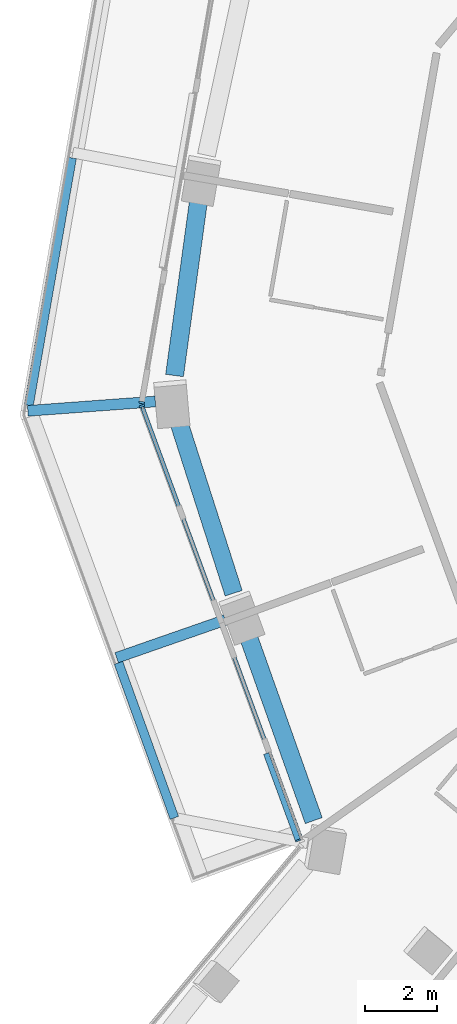
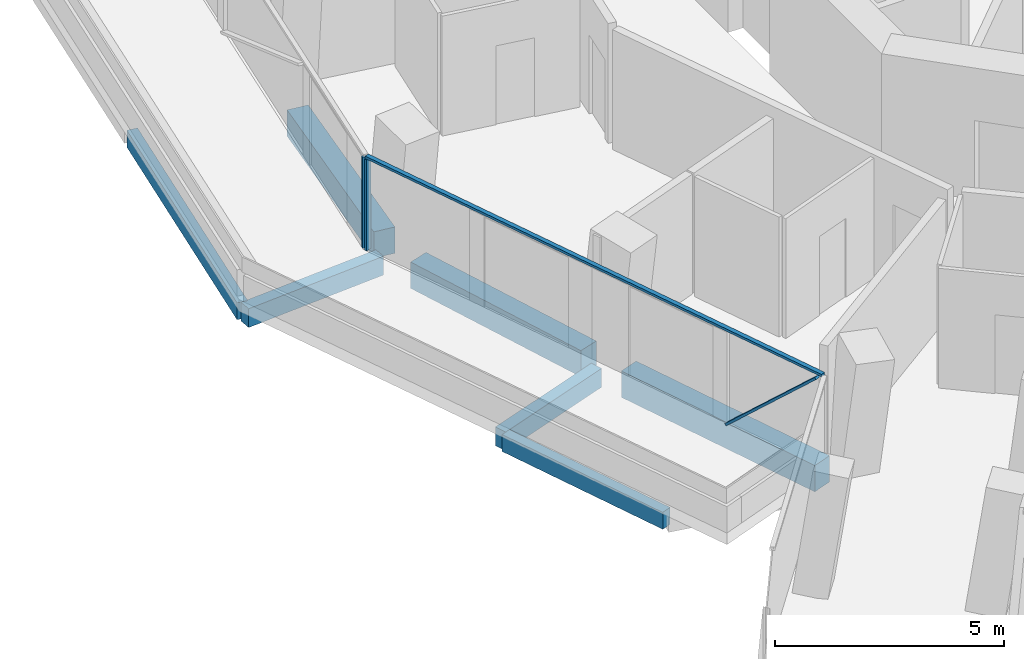
# One storey, part 4 of 24: 7 beams, 4 members, 2 elements without a shape of their own.
"""IFC4 building model written with IfcOpenShell, lengths in metres."""

import ifcopenshell
import ifcopenshell.guid

model = None  # the IFC model being written
_history = None  # IfcOwnerHistory: only IFC2X3 demands one
_inside = {}  # id of a spatial element -> (the spatial element, [elements in it])
_under = {}  # id of a project, library or spatial element -> (it, [spatial elements below it])
_declared = {}  # id of a project -> (the project, [libraries it declares])
_typed = {}  # id of a type object -> (the type object, [elements of that type])
_made_of = {}  # id of a material, layer set ... -> (it, [elements and type objects made of it])


def new_model(schema):
    """Start an empty IFC model of exactly this schema.

    Asked for "IFC4X3", IfcOpenShell would pick the latest addendum, in which some entities
    have other attributes; the version numbers below select the first issue.
    IFC2X3 requires an IfcOwnerHistory on every rooted entity: one is made here for all.
    """
    global model, _history
    if schema == "IFC4X3":
        model = ifcopenshell.file(schema_version=(4, 3, 0, 0))
    else:
        model = ifcopenshell.file(schema=schema)
    _inside.clear()
    _under.clear()
    _declared.clear()
    _typed.clear()
    _made_of.clear()
    _history = None
    if model.schema == "IFC2X3":
        org = make("IfcOrganization", Name="unknown")
        user = make(
            "IfcPersonAndOrganization",
            ThePerson=make("IfcPerson", FamilyName="unknown"),
            TheOrganization=org,
        )
        app = make(
            "IfcApplication",
            ApplicationDeveloper=org,
            Version="unknown",
            ApplicationFullName="unknown",
            ApplicationIdentifier="unknown",
        )
        _history = make(
            "IfcOwnerHistory",
            OwningUser=user,
            OwningApplication=app,
            ChangeAction="ADDED",
            CreationDate=0,
        )
    return model


def make(cls, **values):
    """One entity of the class cls with the attributes given. An attribute that is None is left unset."""
    return model.create_entity(
        cls, **{name: value for name, value in values.items() if value is not None}
    )


def rooted(cls, **values):
    """An entity with a GlobalId (a new one), such as an element, a storey or a relation."""
    return make(cls, GlobalId=ifcopenshell.guid.new(), OwnerHistory=_history, **values)


def si_unit(unit_type, name, prefix=None):
    """IfcSIUnit, for example si_unit("LENGTHUNIT", "METRE", prefix="MILLI")."""
    return make("IfcSIUnit", UnitType=unit_type, Prefix=prefix, Name=name)


def assignment(units):
    """IfcUnitAssignment: the units of a project."""
    return None if units is None else make("IfcUnitAssignment", Units=units)


def point(xyz):
    """IfcCartesianPoint."""
    return None if xyz is None else make("IfcCartesianPoint", Coordinates=xyz)


def direction(xyz):
    """IfcDirection."""
    return None if xyz is None else make("IfcDirection", DirectionRatios=xyz)


def frame(location, z_axis=None, x_axis=None):
    """IfcAxis2Placement3D, a coordinate frame: its origin and axes. An axis left out is left unset."""
    return make(
        "IfcAxis2Placement3D",
        Location=point(location),
        Axis=direction(z_axis),
        RefDirection=direction(x_axis),
    )


def frame_2d(location, x_axis=None):
    """IfcAxis2Placement2D, a coordinate frame in the plane: its origin and x axis."""
    return make(
        "IfcAxis2Placement2D", Location=point(location), RefDirection=direction(x_axis)
    )


def origin():
    """The frame at (0, 0, 0) with its axes left unset."""
    return frame((0.0, 0.0, 0.0))


def origin_2d():
    """The frame at (0, 0) in the plane with its x axis left unset."""
    return frame_2d((0.0, 0.0))


def place(relative_to, where):
    """IfcLocalPlacement: puts the frame where relative to a parent placement (None: the world)."""
    return make(
        "IfcLocalPlacement", PlacementRelTo=relative_to, RelativePlacement=where
    )


def context(
    kind, dimensions, precision=None, world=None, true_north=None, identifier=None
):
    """IfcGeometricRepresentationContext, for example the 3D "Model" context."""
    return make(
        "IfcGeometricRepresentationContext",
        ContextIdentifier=identifier,
        ContextType=kind,
        CoordinateSpaceDimension=dimensions,
        Precision=precision,
        WorldCoordinateSystem=world,
        TrueNorth=true_north,
    )


def subcontext(parent, identifier, kind, view, scale=None):
    """IfcGeometricRepresentationSubContext, for example "Body" below "Model"."""
    return make(
        "IfcGeometricRepresentationSubContext",
        ContextIdentifier=identifier,
        ContextType=kind,
        ParentContext=parent,
        TargetScale=scale,
        TargetView=view,
    )


def project(units=None, contexts=None):
    """IfcProject with its units and contexts."""
    return rooted(
        "IfcProject",
        Name="project",
        RepresentationContexts=contexts,
        UnitsInContext=assignment(units),
    )


def spatial(cls, under=None, at=None, **own):
    """A site, building, storey or space (cls), placed at a placement, below another one or the project."""
    s = rooted(cls, ObjectPlacement=at, **own)
    if under is not None:
        _under.setdefault(under.id(), (under, []))[1].append(s)
    return s


def profile(cls, at=None, kind="AREA", **sizes):
    """A parametric profile (cls). Its sizes go by their IFC names, for example OverallWidth=200.0."""
    return make(cls, ProfileType=kind, Position=at, **sizes)


def rectangle(**sizes):
    """IfcRectangleProfileDef."""
    return profile("IfcRectangleProfileDef", **sizes)


def extrude(swept, where, along, depth):
    """IfcExtrudedAreaSolid: the profile swept, set in the frame where, extruded along a direction by depth."""
    return make(
        "IfcExtrudedAreaSolid",
        SweptArea=swept,
        Position=where,
        ExtrudedDirection=direction(along),
        Depth=depth,
    )


def shape(context_of_items, identifier, shape_type, items):
    """IfcShapeRepresentation: the items that make up one representation, for example the "Body"."""
    return make(
        "IfcShapeRepresentation",
        ContextOfItems=context_of_items,
        RepresentationIdentifier=identifier,
        RepresentationType=shape_type,
        Items=items,
    )


def material(Name=None, Category=None):
    """IfcMaterial."""
    return make("IfcMaterial", Name=Name, Category=Category)


def layer(
    of_material, thickness, ventilated=None, Name=None, Category=None, Priority=None
):
    """IfcMaterialLayer: one layer of a wall or slab, of a material (None: an air gap)."""
    return make(
        "IfcMaterialLayer",
        Material=of_material,
        LayerThickness=thickness,
        IsVentilated=ventilated,
        Name=Name,
        Category=Category,
        Priority=Priority,
    )


def layer_set(layers, Name=None):
    """IfcMaterialLayerSet."""
    return make("IfcMaterialLayerSet", MaterialLayers=layers, LayerSetName=Name)


def material_profile(
    of_material, cross_section, Name=None, Category=None, Priority=None
):
    """IfcMaterialProfile: a cross section and its material."""
    return make(
        "IfcMaterialProfile",
        Name=Name,
        Material=of_material,
        Profile=cross_section,
        Priority=Priority,
        Category=Category,
    )


def profile_set(profiles, Name=None, composite=None):
    """IfcMaterialProfileSet."""
    return make(
        "IfcMaterialProfileSet",
        Name=Name,
        MaterialProfiles=profiles,
        CompositeProfile=composite,
    )


def made_of(thing, what):
    """Note that an element or type object is made of a material, layer set ...; save() writes the relation."""
    if what is not None:
        _made_of.setdefault(what.id(), (what, []))[1].append(thing)
    return thing


def type_object(cls, material=None, **own):
    """A type object (cls), such as IfcWallType, which elements share."""
    return made_of(rooted(cls, **own), material)


def element(
    cls,
    number,
    at=None,
    inside=None,
    cuts=None,
    type_object=None,
    material=None,
    context=None,
    identifier="Body",
    shape_type=None,
    held_by="IfcProductDefinitionShape",
    body=None,
    shapes=None,
    **own,
):
    """One element of the class cls, such as IfcWall. Its Tag is "e" and its number.

    at: its placement. inside: the storey or other place that contains it. cuts: it is an
    opening in that element (IfcRelVoidsElement). A single representation is given by context,
    identifier, shape_type and body (its items); several are given by shapes. held_by: the class
    of the entity that holds the representations. save() writes the other relations.
    """
    e = rooted(cls, Tag="e%d" % number, ObjectPlacement=at, **own)
    if body is not None:
        shapes = [shape(context, identifier, shape_type, body)]
    if shapes is not None:
        e.Representation = make(held_by, Representations=shapes)
    if inside is not None:
        _inside.setdefault(inside.id(), (inside, []))[1].append(e)
    if cuts is not None:
        rooted(
            "IfcRelVoidsElement", RelatingBuildingElement=cuts, RelatedOpeningElement=e
        )
    if type_object is not None:
        _typed.setdefault(type_object.id(), (type_object, []))[1].append(e)
    return made_of(e, material)


def aggregate(whole, parts):
    """IfcRelAggregates: a whole, such as a stair, and the parts it consists of."""
    return rooted("IfcRelAggregates", RelatingObject=whole, RelatedObjects=parts)


def save(model, path):
    """Write the relations noted so far, then the file.

    IfcRelAggregates (storeys below a building ...), IfcRelContainedInSpatialStructure (elements
    in a storey), IfcRelDefinesByType, IfcRelAssociatesMaterial and IfcRelDeclares: one each for
    every whole, place, type object, material and project.
    """
    for whole, parts in _under.values():
        aggregate(whole, parts)
    for where, things in _inside.values():
        rooted(
            "IfcRelContainedInSpatialStructure",
            RelatedElements=things,
            RelatingStructure=where,
        )
    for kind, things in _typed.values():
        rooted("IfcRelDefinesByType", RelatedObjects=things, RelatingType=kind)
    for what, things in _made_of.values():
        rooted("IfcRelAssociatesMaterial", RelatedObjects=things, RelatingMaterial=what)
    for by, libraries in _declared.values():
        rooted("IfcRelDeclares", RelatingContext=by, RelatedDefinitions=libraries)
    model.write(path)


model = new_model("IFC4")

# Units and contexts
model_context = context("Model", 3, precision=1e-05, world=origin(), true_north=direction((0.0, 1.0)))
body_context = subcontext(model_context, "Body", "Model", "MODEL_VIEW")
ifc_project = project(units=[si_unit("LENGTHUNIT", "METRE"), si_unit("AREAUNIT", "SQUARE_METRE"), si_unit("VOLUMEUNIT", "CUBIC_METRE"), si_unit("PLANEANGLEUNIT", "RADIAN"), si_unit("MASSUNIT", "GRAM", prefix="KILO")], contexts=[model_context])

# Site, building, storey
site_placement = place(None, origin())
site = spatial("IfcSite", under=ifc_project, at=site_placement, CompositionType="ELEMENT")
building_placement = place(site_placement, origin())
building = spatial("IfcBuilding", under=site, at=building_placement, Name="Verdalira Terraces Hotel", CompositionType="ELEMENT")
storey_placement = place(building_placement, frame((0.0, 0.0, 115.0)))
storey = spatial("IfcBuildingStorey", under=building, at=storey_placement, Name="L27", CompositionType="ELEMENT", Elevation=115.0)

# Beams
ifc_material_1 = material(Name="Concrete C40", Category="concrete")
ifc_material_profile_1 = material_profile(ifc_material_1, rectangle(XDim=0.300049, YDim=0.5, at=origin_2d()), Name="RC 300X500")
ifc_profile_set_1 = profile_set([ifc_material_profile_1], Name="Concrete C40")
beam_type_1 = type_object("IfcBeamType", Name="Balcony cantilever beam RC 300X500 C40", PredefinedType="BEAM", material=ifc_profile_set_1)
beam_1_placement = place(storey_placement, frame((-22.598633, -8.251465, -0.560059), z_axis=(-0.944373258, -0.328875585, 0.0), x_axis=(0.328875585, -0.944373258, 0.0)))
element("IfcBeam", 1, at=beam_1_placement, inside=storey, type_object=beam_type_1, Name="Balcony cantilever beam R12-1", PredefinedType="BEAM", context=body_context, shape_type="SweptSolid", body=[
    extrude(rectangle(XDim=0.300049, YDim=0.5, at=origin_2d()), origin(), (0.0, 0.0, 1.0), 3.200928),
])
beam_2_placement = place(storey_placement, frame((-24.546387, -2.173096, -0.560059), z_axis=(-0.997314192, -0.073242084, 0.0), x_axis=(0.073242084, -0.997314192, 0.0)))
element("IfcBeam", 2, at=beam_2_placement, inside=storey, type_object=beam_type_1, Name="Balcony cantilever beam R12-5", PredefinedType="BEAM", context=body_context, shape_type="SweptSolid", body=[
    extrude(rectangle(XDim=0.300049, YDim=0.5, at=origin_2d()), origin(), (0.0, 0.0, 1.0), 3.556641),
])
ifc_material_2 = material(Name="Concrete C40", Category="concrete")
ifc_material_profile_2 = material_profile(ifc_material_2, rectangle(XDim=0.25, YDim=0.449951, at=origin_2d()), Name="RC 250X450")
ifc_profile_set_2 = profile_set([ifc_material_profile_2], Name="Concrete C40")
beam_type_2 = type_object("IfcBeamType", Name="Balcony edge beam RC 250X450 C40", PredefinedType="BEAM", material=ifc_profile_set_2)
beam_3_placement = place(storey_placement, frame((-25.570557, -9.445312, -0.534912), z_axis=(0.338972037, -0.940796449, 0.0), x_axis=(0.940796449, 0.338972037, 0.0)))
element("IfcBeam", 3, at=beam_3_placement, inside=storey, type_object=beam_type_2, Name="Balcony edge beam R12-1", PredefinedType="BEAM", context=body_context, shape_type="SweptSolid", body=[
    extrude(rectangle(XDim=0.25, YDim=0.449951, at=origin_2d()), origin(), (0.0, 0.0, 1.0), 4.586426),
])
beam_4_placement = place(storey_placement, frame((-26.866699, 4.605469, -0.534912), z_axis=(-0.171694907, -0.985150171, 0.0), x_axis=(0.985150171, -0.171694907, 0.0)))
element("IfcBeam", 4, at=beam_4_placement, inside=storey, type_object=beam_type_2, Name="Balcony edge beam R12-3", PredefinedType="BEAM", context=body_context, shape_type="SweptSolid", body=[
    extrude(rectangle(XDim=0.25, YDim=0.449951, at=origin_2d()), origin(), (0.0, 0.0, 1.0), 6.990234),
])

# Curtain wall, member
ifc_material_3 = material(Name="Clear glass", Category="glass")
ifc_layer = layer(ifc_material_3, 0.14990234375)
ifc_layer_set = layer_set([ifc_layer], Name="CW1 curtain wall")
curtain_wall_type = type_object("IfcCurtainWallType", Name="CW1 curtain wall", PredefinedType="NOTDEFINED", material=ifc_layer_set)
curtain_wall_1_placement = place(storey_placement, origin())
curtain_wall_1 = element("IfcCurtainWall", 5, at=curtain_wall_1_placement, inside=storey, type_object=curtain_wall_type, Name="CW1 curtain wall L27 edge 12", PredefinedType="NOTDEFINED")
ifc_material_4 = material(Name="Terracotta frame", Category="masonry")
ifc_material_profile_3 = material_profile(ifc_material_4, rectangle(XDim=0.060059, YDim=0.149902, at=origin_2d()), Name="MU 60x150")
ifc_profile_set_3 = profile_set([ifc_material_profile_3], Name="Terracotta frame")
member_type_1 = type_object("IfcMemberType", Name="CW1 mullion 60x150", PredefinedType="MULLION", material=ifc_profile_set_3)
member_1_placement = place(storey_placement, frame((-24.926514, -2.202393, 0.0), z_axis=(0.0, 0.0, 1.0), x_axis=(-0.170897402, -0.98528883, 0.0)))
member_1 = element("IfcMember", 6, at=member_1_placement, type_object=member_type_1, Name="CW1 mullion", PredefinedType="MULLION", context=body_context, shape_type="SweptSolid", body=[
    extrude(rectangle(XDim=0.060059, YDim=0.149902, at=origin_2d()), origin(), (0.0, 0.0, 1.0), 2.425049),
])
aggregate(curtain_wall_1, [member_1])

# Curtain wall, members
curtain_wall_2_placement = place(storey_placement, origin())
curtain_wall_2 = element("IfcCurtainWall", 7, at=curtain_wall_2_placement, inside=storey, type_object=curtain_wall_type, Name="CW1 curtain wall L27 edge 13", PredefinedType="NOTDEFINED")
member_2_placement = place(storey_placement, frame((-24.917725, -2.298828, 0.0), z_axis=(0.0, 0.0, 1.0), x_axis=(0.344642923, -0.938733858, 0.0)))
member_2 = element("IfcMember", 8, at=member_2_placement, type_object=member_type_1, Name="CW1 mullion", PredefinedType="MULLION", context=body_context, shape_type="SweptSolid", body=[
    extrude(rectangle(XDim=0.060059, YDim=0.149902, at=origin_2d()), origin(), (0.0, 0.0, 1.0), 2.425049),
])
ifc_material_5 = material(Name="Terracotta frame", Category="masonry")
ifc_material_profile_4 = material_profile(ifc_material_5, rectangle(XDim=0.110107, YDim=0.064941, at=origin_2d()), Name="TR 65x110")
ifc_profile_set_4 = profile_set([ifc_material_profile_4], Name="Terracotta frame")
member_type_2 = type_object("IfcMemberType", Name="CW1 transom 65x110", PredefinedType="USERDEFINED", material=ifc_profile_set_4)
member_3_placement = place(storey_placement, frame((-24.927979, -2.270508, 2.45752), z_axis=(0.344647069, -0.938732336, 0.0), x_axis=(0.938732336, 0.344647069, 0.0)))
member_3 = element("IfcMember", 9, at=member_3_placement, type_object=member_type_2, Name="CW1 transom", ObjectType="TRANSOM", PredefinedType="USERDEFINED", context=body_context, shape_type="SweptSolid", body=[
    extrude(rectangle(XDim=0.110107, YDim=0.064941, at=origin_2d()), origin(), (0.0, 0.0, 1.0), 12.959717),
])
ifc_material_6 = material(Name="Terracotta frame", Category="masonry")
ifc_material_profile_5 = material_profile(ifc_material_6, rectangle(XDim=0.149902, YDim=0.060059, at=origin_2d()), Name="GB 60x150")
ifc_profile_set_5 = profile_set([ifc_material_profile_5], Name="Terracotta frame")
member_type_3 = type_object("IfcMemberType", Name="Diagonal glazing bar 60x150", PredefinedType="USERDEFINED", material=ifc_profile_set_5)
member_4_placement = place(storey_placement, frame((-21.454834, -11.989258, 0.023438), z_axis=(0.252246791, -0.687068213, 0.681402104), x_axis=(0.938734138, 0.34464216, 0.0)))
member_4 = element("IfcMember", 10, at=member_4_placement, type_object=member_type_3, Name="Diagonal glazing bar", ObjectType="GLAZING BAR", PredefinedType="USERDEFINED", context=body_context, shape_type="SweptSolid", body=[
    extrude(rectangle(XDim=0.149902, YDim=0.060059, at=origin_2d()), origin(), (0.0, 0.0, 1.0), 3.490234),
])
aggregate(curtain_wall_2, [member_2, member_3, member_4])

# Beams
ifc_material_7 = material(Name="Concrete C70", Category="concrete")
ifc_material_profile_6 = material_profile(ifc_material_7, rectangle(XDim=0.5, YDim=0.699951, at=origin_2d()), Name="RC 500X700")
ifc_profile_set_6 = profile_set([ifc_material_profile_6], Name="Concrete C70")
beam_type_3 = type_object("IfcBeamType", Name="Spandrel beam RC 500X700 C70", PredefinedType="SPANDREL", material=ifc_profile_set_6)
beam_5_placement = place(storey_placement, frame((-23.329102, 3.516113, -0.659912), z_axis=(-0.136134685, -0.990690339, 0.0), x_axis=(0.990690339, -0.136134685, 0.0)))
element("IfcBeam", 11, at=beam_5_placement, inside=storey, type_object=beam_type_3, Name="Spandrel beam B07", PredefinedType="SPANDREL", context=body_context, shape_type="SweptSolid", body=[
    extrude(rectangle(XDim=0.5, YDim=0.699951, at=origin_2d()), origin(), (0.0, 0.0, 1.0), 5.012451),
])
beam_6_placement = place(storey_placement, frame((-23.897949, -2.732422, -0.659912), z_axis=(0.305445042, -0.952209707, 0.0), x_axis=(0.952209707, 0.305445042, 0.0)))
element("IfcBeam", 12, at=beam_6_placement, inside=storey, type_object=beam_type_3, Name="Spandrel beam B08", PredefinedType="SPANDREL", context=body_context, shape_type="SweptSolid", body=[
    extrude(rectangle(XDim=0.5, YDim=0.699951, at=origin_2d()), origin(), (0.0, 0.0, 1.0), 5.015625),
])
beam_7_placement = place(storey_placement, frame((-21.993652, -8.610596, -0.659912), z_axis=(0.334790772, -0.942292491, 0.0), x_axis=(0.942292491, 0.334790772, 0.0)))
element("IfcBeam", 13, at=beam_7_placement, inside=storey, type_object=beam_type_3, Name="Spandrel beam B09", PredefinedType="SPANDREL", context=body_context, shape_type="SweptSolid", body=[
    extrude(rectangle(XDim=0.5, YDim=0.699951, at=origin_2d()), origin(), (0.0, 0.0, 1.0), 5.545166),
])

save(model, "model.ifc")
